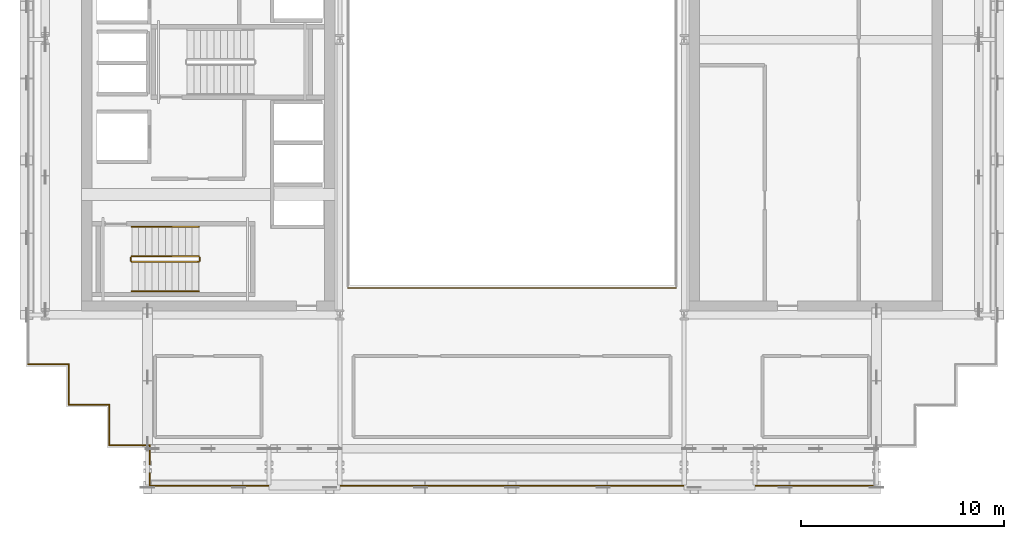
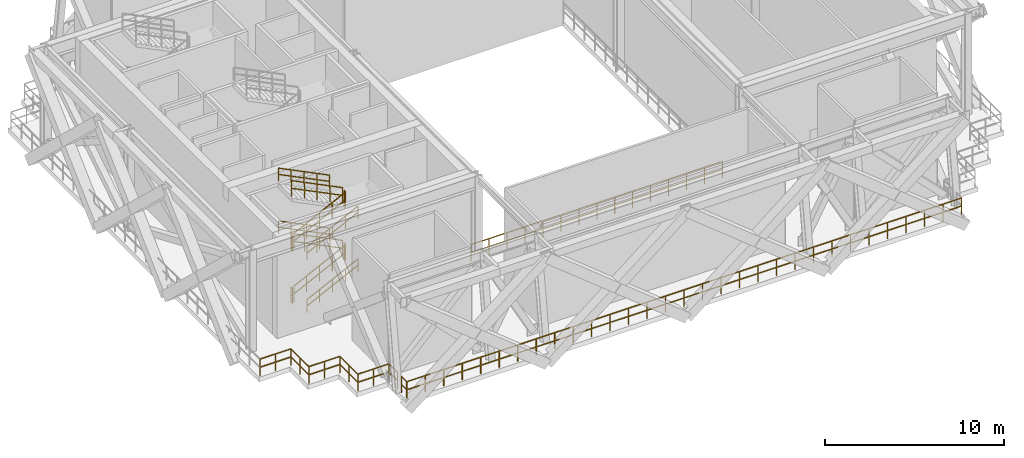
# One storey, part 9 of 13: 21 railings.
"""IFC4 building model written with IfcOpenShell, lengths in metres."""

from ifc_helpers import new_model, si_unit, direction, frame, origin, origin_2d, place, context, subcontext, project, spatial, rectangle, extrude, material, type_object, element, save


model = new_model("IFC4")

# Units and contexts
model_context = context("Model", 3, precision=1e-05, world=origin(), true_north=direction((0.0, 1.0)))
body_context = subcontext(model_context, "Body", "Model", "MODEL_VIEW")
ifc_project = project(units=[si_unit("LENGTHUNIT", "METRE"), si_unit("AREAUNIT", "SQUARE_METRE"), si_unit("VOLUMEUNIT", "CUBIC_METRE"), si_unit("PLANEANGLEUNIT", "RADIAN"), si_unit("MASSUNIT", "GRAM", prefix="KILO")], contexts=[model_context])

# Site, building, storey
site_placement = place(None, origin())
site = spatial("IfcSite", under=ifc_project, at=site_placement, CompositionType="ELEMENT")
building_placement = place(site_placement, origin())
building = spatial("IfcBuilding", under=site, at=building_placement, Name="Ocotamira Hotel", CompositionType="ELEMENT")
storey_placement = place(building_placement, frame((0.0, 0.0, 220.800048828125)))
storey = spatial("IfcBuildingStorey", under=building, at=storey_placement, Name="L56", CompositionType="ELEMENT", Elevation=220.800048828125)

# Railings
ifc_material_1 = material(Name="Painted steel stair guardrail", Category="steel")
railing_type_1 = type_object("IfcRailingType", Name="RL-EDGE-1150", PredefinedType="GUARDRAIL", material=ifc_material_1)
railing_1_placement = place(storey_placement, frame((23.89990234375, 15.8798828125, 0.0)))
element("IfcRailing", 1, at=railing_1_placement, inside=storey, type_object=railing_type_1, Name="L56 Central Atrium Edge Guardrail S", PredefinedType="GUARDRAIL", context=body_context, shape_type="SweptSolid", body=[
    extrude(rectangle(XDim=0.048095703125, YDim=0.048095703125, at=origin_2d()), frame((0.0, 0.0, 1.1259765625), z_axis=(1.0, 0.0, 0.0), x_axis=(0.0, 1.0, 0.0)), (0.0, 0.0, 1.0), 16.2001953125),
    extrude(rectangle(XDim=0.048095703125, YDim=0.048095703125, at=origin_2d()), frame((0.0, 0.0, 0.574951171875), z_axis=(1.0, 0.0, 0.0), x_axis=(0.0, 1.0, 0.0)), (0.0, 0.0, 1.0), 16.2001953125),
    extrude(rectangle(XDim=0.0419921875, YDim=0.0419921875, at=origin_2d()), origin(), (0.0, 0.0, 1.0), 1.101806640625),
    extrude(rectangle(XDim=0.0419921875, YDim=0.0419921875, at=origin_2d()), frame((1.1572265625, 0.0, 0.0)), (0.0, 0.0, 1.0), 1.101806640625),
    extrude(rectangle(XDim=0.0419921875, YDim=0.0419921875, at=origin_2d()), frame((2.314208984375, 0.0, 0.0)), (0.0, 0.0, 1.0), 1.101806640625),
    extrude(rectangle(XDim=0.0419921875, YDim=0.0419921875, at=origin_2d()), frame((3.471435546875, 0.0, 0.0)), (0.0, 0.0, 1.0), 1.101806640625),
    extrude(rectangle(XDim=0.0419921875, YDim=0.0419921875, at=origin_2d()), frame((4.628662109375, 0.0, 0.0)), (0.0, 0.0, 1.0), 1.101806640625),
    extrude(rectangle(XDim=0.0419921875, YDim=0.0419921875, at=origin_2d()), frame((5.785888671875, 0.0, 0.0)), (0.0, 0.0, 1.0), 1.101806640625),
    extrude(rectangle(XDim=0.0419921875, YDim=0.0419921875, at=origin_2d()), frame((6.94287109375, 0.0, 0.0)), (0.0, 0.0, 1.0), 1.101806640625),
    extrude(rectangle(XDim=0.0419921875, YDim=0.0419921875, at=origin_2d()), frame((8.10009765625, 0.0, 0.0)), (0.0, 0.0, 1.0), 1.101806640625),
    extrude(rectangle(XDim=0.0419921875, YDim=0.0419921875, at=origin_2d()), frame((9.25732421875, 0.0, 0.0)), (0.0, 0.0, 1.0), 1.101806640625),
    extrude(rectangle(XDim=0.0419921875, YDim=0.0419921875, at=origin_2d()), frame((10.414306640625, 0.0, 0.0)), (0.0, 0.0, 1.0), 1.101806640625),
    extrude(rectangle(XDim=0.0419921875, YDim=0.0419921875, at=origin_2d()), frame((11.571533203125, 0.0, 0.0)), (0.0, 0.0, 1.0), 1.101806640625),
    extrude(rectangle(XDim=0.0419921875, YDim=0.0419921875, at=origin_2d()), frame((12.728759765625, 0.0, 0.0)), (0.0, 0.0, 1.0), 1.101806640625),
    extrude(rectangle(XDim=0.0419921875, YDim=0.0419921875, at=origin_2d()), frame((13.885986328125, 0.0, 0.0)), (0.0, 0.0, 1.0), 1.101806640625),
    extrude(rectangle(XDim=0.0419921875, YDim=0.0419921875, at=origin_2d()), frame((15.04296875, 0.0, 0.0)), (0.0, 0.0, 1.0), 1.101806640625),
    extrude(rectangle(XDim=0.0419921875, YDim=0.0419921875, at=origin_2d()), frame((16.2001953125, 0.0, 0.0)), (0.0, 0.0, 1.0), 1.101806640625),
])
ifc_material_2 = material(Name="Brushed stainless steel handrail", Category="steel")
railing_type_2 = type_object("IfcRailingType", Name="RL-HAND-900", PredefinedType="HANDRAIL", material=ifc_material_2)
railing_2_placement = place(storey_placement, frame((13.22998046875, 15.719970703125, 0.3271484375)))
element("IfcRailing", 2, at=railing_2_placement, inside=storey, type_object=railing_type_2, Name="L56 ST-1 stair handrail 1", PredefinedType="HANDRAIL", context=body_context, shape_type="SweptSolid", body=[
    extrude(rectangle(XDim=0.048095703125, YDim=0.048095703125, at=origin_2d()), frame((0.0, 0.0, 0.8759765625), z_axis=(0.895893744519, 0.0, 0.4442683857), x_axis=(0.0, 1.0, 0.0)), (0.0, 0.0, 1.0), 3.68359375),
    extrude(rectangle(XDim=0.048095703125, YDim=0.048095703125, at=origin_2d()), frame((0.0, 0.0, 0.449951171875), z_axis=(0.895893744519, 0.0, 0.4442683857), x_axis=(0.0, 1.0, 0.0)), (0.0, 0.0, 1.0), 3.68359375),
    extrude(rectangle(XDim=0.0419921875, YDim=0.0419921875, at=origin_2d()), origin(), (0.0, 0.0, 1.0), 0.851806640625),
    extrude(rectangle(XDim=0.0419921875, YDim=0.0419921875, at=origin_2d()), frame((0.824951171875, 0.0, 0.4091796875)), (0.0, 0.0, 1.0), 0.851806640625),
    extrude(rectangle(XDim=0.0419921875, YDim=0.0419921875, at=origin_2d()), frame((1.64990234375, 0.0, 0.818359375)), (0.0, 0.0, 1.0), 0.851806640625),
    extrude(rectangle(XDim=0.0419921875, YDim=0.0419921875, at=origin_2d()), frame((2.47509765625, 0.0, 1.227294921875)), (0.0, 0.0, 1.0), 0.851806640625),
    extrude(rectangle(XDim=0.0419921875, YDim=0.0419921875, at=origin_2d()), frame((3.300048828125, 0.0, 1.636474609375)), (0.0, 0.0, 1.0), 0.851806640625),
])
railing_3_placement = place(storey_placement, frame((16.530029296875, 18.89990234375, 2.127197265625)))
element("IfcRailing", 3, at=railing_3_placement, inside=storey, type_object=railing_type_2, Name="L56 ST-1 stair handrail 2", PredefinedType="HANDRAIL", context=body_context, shape_type="SweptSolid", body=[
    extrude(rectangle(XDim=0.048095703125, YDim=0.048095703125, at=origin_2d()), frame((0.0, 0.0, 0.8759765625), z_axis=(-0.895893744519, 0.0, 0.4442683857), x_axis=(0.0, -1.0, 0.0)), (0.0, 0.0, 1.0), 3.68359375),
    extrude(rectangle(XDim=0.048095703125, YDim=0.048095703125, at=origin_2d()), frame((0.0, 0.0, 0.449951171875), z_axis=(-0.895893744519, 0.0, 0.4442683857), x_axis=(0.0, -1.0, 0.0)), (0.0, 0.0, 1.0), 3.68359375),
    extrude(rectangle(XDim=0.0419921875, YDim=0.0419921875, at=origin_2d()), origin(), (0.0, 0.0, 1.0), 0.851806640625),
    extrude(rectangle(XDim=0.0419921875, YDim=0.0419921875, at=origin_2d()), frame((-0.824951171875, 0.0, 0.4091796875)), (0.0, 0.0, 1.0), 0.851806640625),
    extrude(rectangle(XDim=0.0419921875, YDim=0.0419921875, at=origin_2d()), frame((-1.64990234375, 0.0, 0.818359375)), (0.0, 0.0, 1.0), 0.851806640625),
    extrude(rectangle(XDim=0.0419921875, YDim=0.0419921875, at=origin_2d()), frame((-2.47509765625, 0.0, 1.227294921875)), (0.0, 0.0, 1.0), 0.851806640625),
    extrude(rectangle(XDim=0.0419921875, YDim=0.0419921875, at=origin_2d()), frame((-3.300048828125, 0.0, 1.636474609375)), (0.0, 0.0, 1.0), 0.851806640625),
])
railing_4_placement = place(storey_placement, frame((13.22998046875, 15.719970703125, 3.92724609375)))
element("IfcRailing", 4, at=railing_4_placement, inside=storey, type_object=railing_type_2, Name="L56 ST-1 stair handrail 3", PredefinedType="HANDRAIL", context=body_context, shape_type="SweptSolid", body=[
    extrude(rectangle(XDim=0.048095703125, YDim=0.048095703125, at=origin_2d()), frame((0.0, 0.0, 0.8759765625), z_axis=(0.895920123917, 0.0, 0.444215186098), x_axis=(0.0, 1.0, 0.0)), (0.0, 0.0, 1.0), 3.683349609375),
    extrude(rectangle(XDim=0.048095703125, YDim=0.048095703125, at=origin_2d()), frame((0.0, 0.0, 0.449951171875), z_axis=(0.895920123917, 0.0, 0.444215186098), x_axis=(0.0, 1.0, 0.0)), (0.0, 0.0, 1.0), 3.683349609375),
    extrude(rectangle(XDim=0.0419921875, YDim=0.0419921875, at=origin_2d()), origin(), (0.0, 0.0, 1.0), 0.851806640625),
    extrude(rectangle(XDim=0.0419921875, YDim=0.0419921875, at=origin_2d()), frame((0.824951171875, 0.0, 0.4091796875)), (0.0, 0.0, 1.0), 0.851806640625),
    extrude(rectangle(XDim=0.0419921875, YDim=0.0419921875, at=origin_2d()), frame((1.64990234375, 0.0, 0.818115234375)), (0.0, 0.0, 1.0), 0.851806640625),
    extrude(rectangle(XDim=0.0419921875, YDim=0.0419921875, at=origin_2d()), frame((2.47509765625, 0.0, 1.22705078125)), (0.0, 0.0, 1.0), 0.851806640625),
    extrude(rectangle(XDim=0.0419921875, YDim=0.0419921875, at=origin_2d()), frame((3.300048828125, 0.0, 1.63623046875)), (0.0, 0.0, 1.0), 0.851806640625),
])
railing_5_placement = place(storey_placement, frame((16.530029296875, 18.89990234375, 5.727294921875)))
element("IfcRailing", 5, at=railing_5_placement, inside=storey, type_object=railing_type_2, Name="L56 ST-1 stair handrail 4", PredefinedType="HANDRAIL", context=body_context, shape_type="SweptSolid", body=[
    extrude(rectangle(XDim=0.048095703125, YDim=0.048095703125, at=origin_2d()), frame((0.0, 0.0, 0.8759765625), z_axis=(-0.895920123917, 0.0, 0.444215186098), x_axis=(0.0, -1.0, 0.0)), (0.0, 0.0, 1.0), 3.683349609375),
    extrude(rectangle(XDim=0.048095703125, YDim=0.048095703125, at=origin_2d()), frame((0.0, 0.0, 0.449951171875), z_axis=(-0.895920123917, 0.0, 0.444215186098), x_axis=(0.0, -1.0, 0.0)), (0.0, 0.0, 1.0), 3.683349609375),
    extrude(rectangle(XDim=0.0419921875, YDim=0.0419921875, at=origin_2d()), origin(), (0.0, 0.0, 1.0), 0.851806640625),
    extrude(rectangle(XDim=0.0419921875, YDim=0.0419921875, at=origin_2d()), frame((-0.824951171875, 0.0, 0.4091796875)), (0.0, 0.0, 1.0), 0.851806640625),
    extrude(rectangle(XDim=0.0419921875, YDim=0.0419921875, at=origin_2d()), frame((-1.64990234375, 0.0, 0.818115234375)), (0.0, 0.0, 1.0), 0.851806640625),
    extrude(rectangle(XDim=0.0419921875, YDim=0.0419921875, at=origin_2d()), frame((-2.47509765625, 0.0, 1.22705078125)), (0.0, 0.0, 1.0), 0.851806640625),
    extrude(rectangle(XDim=0.0419921875, YDim=0.0419921875, at=origin_2d()), frame((-3.300048828125, 0.0, 1.63623046875)), (0.0, 0.0, 1.0), 0.851806640625),
])
ifc_material_3 = material(Name="Pale-metal stainless steel guardrail", Category="steel")
railing_type_3 = type_object("IfcRailingType", Name="RL-PERIM-1150", PredefinedType="GUARDRAIL", material=ifc_material_3)
railing_6_placement = place(storey_placement, frame((14.1201171875, 6.1201171875, 0.0)))
element("IfcRailing", 6, at=railing_6_placement, inside=storey, type_object=railing_type_3, Name="L56 Perimeter Guardrail WSLOT1-01", PredefinedType="GUARDRAIL", context=body_context, shape_type="SweptSolid", body=[
    extrude(rectangle(XDim=0.048095703125, YDim=0.048095703125, at=origin_2d()), frame((0.0, 0.0, 1.1259765625), z_axis=(0.0, 1.0, 0.0), x_axis=(-1.0, 0.0, 0.0)), (0.0, 0.0, 1.0), 0.6064453125),
    extrude(rectangle(XDim=0.048095703125, YDim=0.048095703125, at=origin_2d()), frame((0.0, 0.0, 0.574951171875), z_axis=(0.0, 1.0, 0.0), x_axis=(-1.0, 0.0, 0.0)), (0.0, 0.0, 1.0), 0.6064453125),
    extrude(rectangle(XDim=0.0419921875, YDim=0.0419921875, at=origin_2d()), origin(), (0.0, 0.0, 1.0), 1.101806640625),
    extrude(rectangle(XDim=0.0419921875, YDim=0.0419921875, at=origin_2d()), frame((0.0, 0.6064453125, 0.0)), (0.0, 0.0, 1.0), 1.101806640625),
])
railing_7_placement = place(storey_placement, frame((14.1201171875, 7.173583984375, 0.0)))
element("IfcRailing", 7, at=railing_7_placement, inside=storey, type_object=railing_type_3, Name="L56 Perimeter Guardrail WSLOT1-02", PredefinedType="GUARDRAIL", context=body_context, shape_type="SweptSolid", body=[
    extrude(rectangle(XDim=0.048095703125, YDim=0.048095703125, at=origin_2d()), frame((0.0, 0.0, 1.1259765625), z_axis=(0.0, 1.0, 0.0), x_axis=(-1.0, 0.0, 0.0)), (0.0, 0.0, 1.0), 0.946533203125),
    extrude(rectangle(XDim=0.048095703125, YDim=0.048095703125, at=origin_2d()), frame((0.0, 0.0, 0.574951171875), z_axis=(0.0, 1.0, 0.0), x_axis=(-1.0, 0.0, 0.0)), (0.0, 0.0, 1.0), 0.946533203125),
    extrude(rectangle(XDim=0.0419921875, YDim=0.0419921875, at=origin_2d()), origin(), (0.0, 0.0, 1.0), 1.101806640625),
    extrude(rectangle(XDim=0.0419921875, YDim=0.0419921875, at=origin_2d()), frame((0.0, 0.946533203125, 0.0)), (0.0, 0.0, 1.0), 1.101806640625),
])
railing_8_placement = place(storey_placement, frame((14.1201171875, 8.1201171875, 0.0)))
element("IfcRailing", 8, at=railing_8_placement, inside=storey, type_object=railing_type_3, Name="L56 Perimeter Guardrail WSLOT1-03", PredefinedType="GUARDRAIL", context=body_context, shape_type="SweptSolid", body=[
    extrude(rectangle(XDim=0.048095703125, YDim=0.048095703125, at=origin_2d()), frame((0.0, 0.0, 1.1259765625), z_axis=(-1.0, 0.0, 0.0), x_axis=(0.0, -1.0, 0.0)), (0.0, 0.0, 1.0), 2.0),
    extrude(rectangle(XDim=0.048095703125, YDim=0.048095703125, at=origin_2d()), frame((0.0, 0.0, 0.574951171875), z_axis=(-1.0, 0.0, 0.0), x_axis=(0.0, -1.0, 0.0)), (0.0, 0.0, 1.0), 2.0),
    extrude(rectangle(XDim=0.0419921875, YDim=0.0419921875, at=origin_2d()), origin(), (0.0, 0.0, 1.0), 1.101806640625),
    extrude(rectangle(XDim=0.0419921875, YDim=0.0419921875, at=origin_2d()), frame((-1.0, 0.0, 0.0)), (0.0, 0.0, 1.0), 1.101806640625),
    extrude(rectangle(XDim=0.0419921875, YDim=0.0419921875, at=origin_2d()), frame((-2.0, 0.0, 0.0)), (0.0, 0.0, 1.0), 1.101806640625),
])
railing_9_placement = place(storey_placement, frame((12.1201171875, 8.1201171875, 0.0)))
element("IfcRailing", 9, at=railing_9_placement, inside=storey, type_object=railing_type_3, Name="L56 Perimeter Guardrail WSLOT1-04", PredefinedType="GUARDRAIL", context=body_context, shape_type="SweptSolid", body=[
    extrude(rectangle(XDim=0.048095703125, YDim=0.048095703125, at=origin_2d()), frame((0.0, 0.0, 1.1259765625), z_axis=(0.0, 1.0, 0.0), x_axis=(-1.0, 0.0, 0.0)), (0.0, 0.0, 1.0), 2.0),
    extrude(rectangle(XDim=0.048095703125, YDim=0.048095703125, at=origin_2d()), frame((0.0, 0.0, 0.574951171875), z_axis=(0.0, 1.0, 0.0), x_axis=(-1.0, 0.0, 0.0)), (0.0, 0.0, 1.0), 2.0),
    extrude(rectangle(XDim=0.0419921875, YDim=0.0419921875, at=origin_2d()), origin(), (0.0, 0.0, 1.0), 1.101806640625),
    extrude(rectangle(XDim=0.0419921875, YDim=0.0419921875, at=origin_2d()), frame((0.0, 1.0, 0.0)), (0.0, 0.0, 1.0), 1.101806640625),
    extrude(rectangle(XDim=0.0419921875, YDim=0.0419921875, at=origin_2d()), frame((0.0, 2.0, 0.0)), (0.0, 0.0, 1.0), 1.101806640625),
])
railing_10_placement = place(storey_placement, frame((12.1201171875, 10.1201171875, 0.0)))
element("IfcRailing", 10, at=railing_10_placement, inside=storey, type_object=railing_type_3, Name="L56 Perimeter Guardrail WSLOT1-05", PredefinedType="GUARDRAIL", context=body_context, shape_type="SweptSolid", body=[
    extrude(rectangle(XDim=0.048095703125, YDim=0.048095703125, at=origin_2d()), frame((0.0, 0.0, 1.1259765625), z_axis=(-1.0, 0.0, 0.0), x_axis=(0.0, -1.0, 0.0)), (0.0, 0.0, 1.0), 2.0),
    extrude(rectangle(XDim=0.048095703125, YDim=0.048095703125, at=origin_2d()), frame((0.0, 0.0, 0.574951171875), z_axis=(-1.0, 0.0, 0.0), x_axis=(0.0, -1.0, 0.0)), (0.0, 0.0, 1.0), 2.0),
    extrude(rectangle(XDim=0.0419921875, YDim=0.0419921875, at=origin_2d()), origin(), (0.0, 0.0, 1.0), 1.101806640625),
    extrude(rectangle(XDim=0.0419921875, YDim=0.0419921875, at=origin_2d()), frame((-1.0, 0.0, 0.0)), (0.0, 0.0, 1.0), 1.101806640625),
    extrude(rectangle(XDim=0.0419921875, YDim=0.0419921875, at=origin_2d()), frame((-2.0, 0.0, 0.0)), (0.0, 0.0, 1.0), 1.101806640625),
])
railing_11_placement = place(storey_placement, frame((10.1201171875, 10.1201171875, 0.0)))
element("IfcRailing", 11, at=railing_11_placement, inside=storey, type_object=railing_type_3, Name="L56 Perimeter Guardrail WSLOT1-06", PredefinedType="GUARDRAIL", context=body_context, shape_type="SweptSolid", body=[
    extrude(rectangle(XDim=0.048095703125, YDim=0.048095703125, at=origin_2d()), frame((0.0, 0.0, 1.1259765625), z_axis=(0.0, 1.0, 0.0), x_axis=(-1.0, 0.0, 0.0)), (0.0, 0.0, 1.0), 2.0),
    extrude(rectangle(XDim=0.048095703125, YDim=0.048095703125, at=origin_2d()), frame((0.0, 0.0, 0.574951171875), z_axis=(0.0, 1.0, 0.0), x_axis=(-1.0, 0.0, 0.0)), (0.0, 0.0, 1.0), 2.0),
    extrude(rectangle(XDim=0.0419921875, YDim=0.0419921875, at=origin_2d()), origin(), (0.0, 0.0, 1.0), 1.101806640625),
    extrude(rectangle(XDim=0.0419921875, YDim=0.0419921875, at=origin_2d()), frame((0.0, 1.0, 0.0)), (0.0, 0.0, 1.0), 1.101806640625),
    extrude(rectangle(XDim=0.0419921875, YDim=0.0419921875, at=origin_2d()), frame((0.0, 2.0, 0.0)), (0.0, 0.0, 1.0), 1.101806640625),
])
railing_12_placement = place(storey_placement, frame((10.1201171875, 12.1201171875, 0.0)))
element("IfcRailing", 12, at=railing_12_placement, inside=storey, type_object=railing_type_3, Name="L56 Perimeter Guardrail WSLOT1-07", PredefinedType="GUARDRAIL", context=body_context, shape_type="SweptSolid", body=[
    extrude(rectangle(XDim=0.048095703125, YDim=0.048095703125, at=origin_2d()), frame((0.0, 0.0, 1.1259765625), z_axis=(-1.0, 0.0, 0.0), x_axis=(0.0, -1.0, 0.0)), (0.0, 0.0, 1.0), 2.0),
    extrude(rectangle(XDim=0.048095703125, YDim=0.048095703125, at=origin_2d()), frame((0.0, 0.0, 0.574951171875), z_axis=(-1.0, 0.0, 0.0), x_axis=(0.0, -1.0, 0.0)), (0.0, 0.0, 1.0), 2.0),
    extrude(rectangle(XDim=0.0419921875, YDim=0.0419921875, at=origin_2d()), origin(), (0.0, 0.0, 1.0), 1.101806640625),
    extrude(rectangle(XDim=0.0419921875, YDim=0.0419921875, at=origin_2d()), frame((-1.0, 0.0, 0.0)), (0.0, 0.0, 1.0), 1.101806640625),
    extrude(rectangle(XDim=0.0419921875, YDim=0.0419921875, at=origin_2d()), frame((-2.0, 0.0, 0.0)), (0.0, 0.0, 1.0), 1.101806640625),
])
railing_13_placement = place(storey_placement, frame((49.8798828125, 6.1201171875, 0.0)))
element("IfcRailing", 13, at=railing_13_placement, inside=storey, type_object=railing_type_3, Name="L56 Perimeter Guardrail WSLOT1-32", PredefinedType="GUARDRAIL", context=body_context, shape_type="SweptSolid", body=[
    extrude(rectangle(XDim=0.048095703125, YDim=0.048095703125, at=origin_2d()), frame((0.0, 0.0, 1.1259765625), z_axis=(-1.0, 0.0, 0.0), x_axis=(0.0, -1.0, 0.0)), (0.0, 0.0, 1.0), 35.759765625),
    extrude(rectangle(XDim=0.048095703125, YDim=0.048095703125, at=origin_2d()), frame((0.0, 0.0, 0.574951171875), z_axis=(-1.0, 0.0, 0.0), x_axis=(0.0, -1.0, 0.0)), (0.0, 0.0, 1.0), 35.759765625),
    extrude(rectangle(XDim=0.0419921875, YDim=0.0419921875, at=origin_2d()), origin(), (0.0, 0.0, 1.0), 1.101806640625),
    extrude(rectangle(XDim=0.0419921875, YDim=0.0419921875, at=origin_2d()), frame((-1.19189453125, 0.0, 0.0)), (0.0, 0.0, 1.0), 1.101806640625),
    extrude(rectangle(XDim=0.0419921875, YDim=0.0419921875, at=origin_2d()), frame((-2.384033203125, 0.0, 0.0)), (0.0, 0.0, 1.0), 1.101806640625),
    extrude(rectangle(XDim=0.0419921875, YDim=0.0419921875, at=origin_2d()), frame((-3.575927734375, 0.0, 0.0)), (0.0, 0.0, 1.0), 1.101806640625),
    extrude(rectangle(XDim=0.0419921875, YDim=0.0419921875, at=origin_2d()), frame((-4.76806640625, 0.0, 0.0)), (0.0, 0.0, 1.0), 1.101806640625),
    extrude(rectangle(XDim=0.0419921875, YDim=0.0419921875, at=origin_2d()), frame((-5.9599609375, 0.0, 0.0)), (0.0, 0.0, 1.0), 1.101806640625),
    extrude(rectangle(XDim=0.0419921875, YDim=0.0419921875, at=origin_2d()), frame((-7.15185546875, 0.0, 0.0)), (0.0, 0.0, 1.0), 1.101806640625),
    extrude(rectangle(XDim=0.0419921875, YDim=0.0419921875, at=origin_2d()), frame((-8.343994140625, 0.0, 0.0)), (0.0, 0.0, 1.0), 1.101806640625),
    extrude(rectangle(XDim=0.0419921875, YDim=0.0419921875, at=origin_2d()), frame((-9.535888671875, 0.0, 0.0)), (0.0, 0.0, 1.0), 1.101806640625),
    extrude(rectangle(XDim=0.0419921875, YDim=0.0419921875, at=origin_2d()), frame((-10.72802734375, 0.0, 0.0)), (0.0, 0.0, 1.0), 1.101806640625),
    extrude(rectangle(XDim=0.0419921875, YDim=0.0419921875, at=origin_2d()), frame((-11.919921875, 0.0, 0.0)), (0.0, 0.0, 1.0), 1.101806640625),
    extrude(rectangle(XDim=0.0419921875, YDim=0.0419921875, at=origin_2d()), frame((-13.11181640625, 0.0, 0.0)), (0.0, 0.0, 1.0), 1.101806640625),
    extrude(rectangle(XDim=0.0419921875, YDim=0.0419921875, at=origin_2d()), frame((-14.303955078125, 0.0, 0.0)), (0.0, 0.0, 1.0), 1.101806640625),
    extrude(rectangle(XDim=0.0419921875, YDim=0.0419921875, at=origin_2d()), frame((-15.495849609375, 0.0, 0.0)), (0.0, 0.0, 1.0), 1.101806640625),
    extrude(rectangle(XDim=0.0419921875, YDim=0.0419921875, at=origin_2d()), frame((-16.68798828125, 0.0, 0.0)), (0.0, 0.0, 1.0), 1.101806640625),
    extrude(rectangle(XDim=0.0419921875, YDim=0.0419921875, at=origin_2d()), frame((-17.8798828125, 0.0, 0.0)), (0.0, 0.0, 1.0), 1.101806640625),
    extrude(rectangle(XDim=0.0419921875, YDim=0.0419921875, at=origin_2d()), frame((-19.07177734375, 0.0, 0.0)), (0.0, 0.0, 1.0), 1.101806640625),
    extrude(rectangle(XDim=0.0419921875, YDim=0.0419921875, at=origin_2d()), frame((-20.263916015625, 0.0, 0.0)), (0.0, 0.0, 1.0), 1.101806640625),
    extrude(rectangle(XDim=0.0419921875, YDim=0.0419921875, at=origin_2d()), frame((-21.455810546875, 0.0, 0.0)), (0.0, 0.0, 1.0), 1.101806640625),
    extrude(rectangle(XDim=0.0419921875, YDim=0.0419921875, at=origin_2d()), frame((-22.64794921875, 0.0, 0.0)), (0.0, 0.0, 1.0), 1.101806640625),
    extrude(rectangle(XDim=0.0419921875, YDim=0.0419921875, at=origin_2d()), frame((-23.83984375, 0.0, 0.0)), (0.0, 0.0, 1.0), 1.101806640625),
    extrude(rectangle(XDim=0.0419921875, YDim=0.0419921875, at=origin_2d()), frame((-25.03173828125, 0.0, 0.0)), (0.0, 0.0, 1.0), 1.101806640625),
    extrude(rectangle(XDim=0.0419921875, YDim=0.0419921875, at=origin_2d()), frame((-26.223876953125, 0.0, 0.0)), (0.0, 0.0, 1.0), 1.101806640625),
    extrude(rectangle(XDim=0.0419921875, YDim=0.0419921875, at=origin_2d()), frame((-27.415771484375, 0.0, 0.0)), (0.0, 0.0, 1.0), 1.101806640625),
    extrude(rectangle(XDim=0.0419921875, YDim=0.0419921875, at=origin_2d()), frame((-28.60791015625, 0.0, 0.0)), (0.0, 0.0, 1.0), 1.101806640625),
    extrude(rectangle(XDim=0.0419921875, YDim=0.0419921875, at=origin_2d()), frame((-29.7998046875, 0.0, 0.0)), (0.0, 0.0, 1.0), 1.101806640625),
    extrude(rectangle(XDim=0.0419921875, YDim=0.0419921875, at=origin_2d()), frame((-30.99169921875, 0.0, 0.0)), (0.0, 0.0, 1.0), 1.101806640625),
    extrude(rectangle(XDim=0.0419921875, YDim=0.0419921875, at=origin_2d()), frame((-32.183837890625, 0.0, 0.0)), (0.0, 0.0, 1.0), 1.101806640625),
    extrude(rectangle(XDim=0.0419921875, YDim=0.0419921875, at=origin_2d()), frame((-33.375732421875, 0.0, 0.0)), (0.0, 0.0, 1.0), 1.101806640625),
    extrude(rectangle(XDim=0.0419921875, YDim=0.0419921875, at=origin_2d()), frame((-34.56787109375, 0.0, 0.0)), (0.0, 0.0, 1.0), 1.101806640625),
    extrude(rectangle(XDim=0.0419921875, YDim=0.0419921875, at=origin_2d()), frame((-35.759765625, 0.0, 0.0)), (0.0, 0.0, 1.0), 1.101806640625),
])
railing_type_4 = type_object("IfcRailingType", Name="RL-STAIR-1100", PredefinedType="GUARDRAIL", material=ifc_material_1)
railing_14_placement = place(storey_placement, frame((13.22998046875, 17.179931640625, 0.16357421875)))
element("IfcRailing", 14, at=railing_14_placement, inside=storey, type_object=railing_type_4, Name="L56 ST-1 stair guard 1", PredefinedType="GUARDRAIL", context=body_context, shape_type="SweptSolid", body=[
    extrude(rectangle(XDim=0.048095703125, YDim=0.048095703125, at=origin_2d()), frame((0.0, 0.0, 1.076171875), z_axis=(0.895893744519, 0.0, 0.4442683857), x_axis=(0.0, 1.0, 0.0)), (0.0, 0.0, 1.0), 3.68359375),
    extrude(rectangle(XDim=0.048095703125, YDim=0.048095703125, at=origin_2d()), frame((0.0, 0.0, 0.550048828125), z_axis=(0.895893744519, 0.0, 0.4442683857), x_axis=(0.0, 1.0, 0.0)), (0.0, 0.0, 1.0), 3.68359375),
    extrude(rectangle(XDim=0.0419921875, YDim=0.0419921875, at=origin_2d()), origin(), (0.0, 0.0, 1.0), 1.052001953125),
    extrude(rectangle(XDim=0.0419921875, YDim=0.0419921875, at=origin_2d()), frame((0.824951171875, 0.0, 0.4091796875)), (0.0, 0.0, 1.0), 1.052001953125),
    extrude(rectangle(XDim=0.0419921875, YDim=0.0419921875, at=origin_2d()), frame((1.64990234375, 0.0, 0.818359375)), (0.0, 0.0, 1.0), 1.052001953125),
    extrude(rectangle(XDim=0.0419921875, YDim=0.0419921875, at=origin_2d()), frame((2.47509765625, 0.0, 1.227294921875)), (0.0, 0.0, 1.0), 1.052001953125),
    extrude(rectangle(XDim=0.0419921875, YDim=0.0419921875, at=origin_2d()), frame((3.300048828125, 0.0, 1.636474609375)), (0.0, 0.0, 1.0), 1.052001953125),
])
railing_15_placement = place(storey_placement, frame((16.580078125, 17.22998046875, 1.800048828125)))
element("IfcRailing", 15, at=railing_15_placement, inside=storey, type_object=railing_type_4, Name="L56 ST-1 stair guard 2", PredefinedType="GUARDRAIL", context=body_context, shape_type="SweptSolid", body=[
    extrude(rectangle(XDim=0.048095703125, YDim=0.048095703125, at=origin_2d()), frame((0.0, 0.0, 1.076171875), z_axis=(0.0, 1.0, 0.0), x_axis=(-1.0, 0.0, 0.0)), (0.0, 0.0, 1.0), 0.159912109375),
    extrude(rectangle(XDim=0.048095703125, YDim=0.048095703125, at=origin_2d()), frame((0.0, 0.0, 0.550048828125), z_axis=(0.0, 1.0, 0.0), x_axis=(-1.0, 0.0, 0.0)), (0.0, 0.0, 1.0), 0.159912109375),
    extrude(rectangle(XDim=0.0419921875, YDim=0.0419921875, at=origin_2d()), origin(), (0.0, 0.0, 1.0), 1.052001953125),
    extrude(rectangle(XDim=0.0419921875, YDim=0.0419921875, at=origin_2d()), frame((0.0, 0.159912109375, 0.0)), (0.0, 0.0, 1.0), 1.052001953125),
])
railing_16_placement = place(storey_placement, frame((16.530029296875, 17.43994140625, 1.963623046875)))
element("IfcRailing", 16, at=railing_16_placement, inside=storey, type_object=railing_type_4, Name="L56 ST-1 stair guard 3", PredefinedType="GUARDRAIL", context=body_context, shape_type="SweptSolid", body=[
    extrude(rectangle(XDim=0.048095703125, YDim=0.048095703125, at=origin_2d()), frame((0.0, 0.0, 1.076171875), z_axis=(-0.895920123917, 0.0, 0.444215186098), x_axis=(0.0, -1.0, 0.0)), (0.0, 0.0, 1.0), 3.683349609375),
    extrude(rectangle(XDim=0.048095703125, YDim=0.048095703125, at=origin_2d()), frame((0.0, 0.0, 0.550048828125), z_axis=(-0.895920123917, 0.0, 0.444215186098), x_axis=(0.0, -1.0, 0.0)), (0.0, 0.0, 1.0), 3.683349609375),
    extrude(rectangle(XDim=0.0419921875, YDim=0.0419921875, at=origin_2d()), origin(), (0.0, 0.0, 1.0), 1.052001953125),
    extrude(rectangle(XDim=0.0419921875, YDim=0.0419921875, at=origin_2d()), frame((-0.824951171875, 0.0, 0.4091796875)), (0.0, 0.0, 1.0), 1.052001953125),
    extrude(rectangle(XDim=0.0419921875, YDim=0.0419921875, at=origin_2d()), frame((-1.64990234375, 0.0, 0.818115234375)), (0.0, 0.0, 1.0), 1.052001953125),
    extrude(rectangle(XDim=0.0419921875, YDim=0.0419921875, at=origin_2d()), frame((-2.47509765625, 0.0, 1.22705078125)), (0.0, 0.0, 1.0), 1.052001953125),
    extrude(rectangle(XDim=0.0419921875, YDim=0.0419921875, at=origin_2d()), frame((-3.300048828125, 0.0, 1.63623046875)), (0.0, 0.0, 1.0), 1.052001953125),
])
railing_17_placement = place(storey_placement, frame((13.179931640625, 17.22998046875, 3.599853515625)))
element("IfcRailing", 17, at=railing_17_placement, inside=storey, type_object=railing_type_4, Name="L56 ST-1 stair guard 4", PredefinedType="GUARDRAIL", context=body_context, shape_type="SweptSolid", body=[
    extrude(rectangle(XDim=0.048095703125, YDim=0.048095703125, at=origin_2d()), frame((0.0, 0.0, 1.076171875), z_axis=(0.0, 1.0, 0.0), x_axis=(-1.0, 0.0, 0.0)), (0.0, 0.0, 1.0), 0.159912109375),
    extrude(rectangle(XDim=0.048095703125, YDim=0.048095703125, at=origin_2d()), frame((0.0, 0.0, 0.550048828125), z_axis=(0.0, 1.0, 0.0), x_axis=(-1.0, 0.0, 0.0)), (0.0, 0.0, 1.0), 0.159912109375),
    extrude(rectangle(XDim=0.0419921875, YDim=0.0419921875, at=origin_2d()), origin(), (0.0, 0.0, 1.0), 1.052001953125),
    extrude(rectangle(XDim=0.0419921875, YDim=0.0419921875, at=origin_2d()), frame((0.0, 0.159912109375, 0.0)), (0.0, 0.0, 1.0), 1.052001953125),
])
railing_18_placement = place(storey_placement, frame((13.22998046875, 17.179931640625, 3.763671875)))
element("IfcRailing", 18, at=railing_18_placement, inside=storey, type_object=railing_type_4, Name="L56 ST-1 stair guard 5", PredefinedType="GUARDRAIL", context=body_context, shape_type="SweptSolid", body=[
    extrude(rectangle(XDim=0.048095703125, YDim=0.048095703125, at=origin_2d()), frame((0.0, 0.0, 1.076171875), z_axis=(0.895920123917, 0.0, 0.444215186098), x_axis=(0.0, 1.0, 0.0)), (0.0, 0.0, 1.0), 3.683349609375),
    extrude(rectangle(XDim=0.048095703125, YDim=0.048095703125, at=origin_2d()), frame((0.0, 0.0, 0.550048828125), z_axis=(0.895920123917, 0.0, 0.444215186098), x_axis=(0.0, 1.0, 0.0)), (0.0, 0.0, 1.0), 3.683349609375),
    extrude(rectangle(XDim=0.0419921875, YDim=0.0419921875, at=origin_2d()), origin(), (0.0, 0.0, 1.0), 1.052001953125),
    extrude(rectangle(XDim=0.0419921875, YDim=0.0419921875, at=origin_2d()), frame((0.824951171875, 0.0, 0.4091796875)), (0.0, 0.0, 1.0), 1.052001953125),
    extrude(rectangle(XDim=0.0419921875, YDim=0.0419921875, at=origin_2d()), frame((1.64990234375, 0.0, 0.818115234375)), (0.0, 0.0, 1.0), 1.052001953125),
    extrude(rectangle(XDim=0.0419921875, YDim=0.0419921875, at=origin_2d()), frame((2.47509765625, 0.0, 1.22705078125)), (0.0, 0.0, 1.0), 1.052001953125),
    extrude(rectangle(XDim=0.0419921875, YDim=0.0419921875, at=origin_2d()), frame((3.300048828125, 0.0, 1.63623046875)), (0.0, 0.0, 1.0), 1.052001953125),
])
railing_19_placement = place(storey_placement, frame((16.580078125, 17.22998046875, 5.39990234375)))
element("IfcRailing", 19, at=railing_19_placement, inside=storey, type_object=railing_type_4, Name="L56 ST-1 stair guard 6", PredefinedType="GUARDRAIL", context=body_context, shape_type="SweptSolid", body=[
    extrude(rectangle(XDim=0.048095703125, YDim=0.048095703125, at=origin_2d()), frame((0.0, 0.0, 1.076171875), z_axis=(0.0, 1.0, 0.0), x_axis=(-1.0, 0.0, 0.0)), (0.0, 0.0, 1.0), 0.159912109375),
    extrude(rectangle(XDim=0.048095703125, YDim=0.048095703125, at=origin_2d()), frame((0.0, 0.0, 0.550048828125), z_axis=(0.0, 1.0, 0.0), x_axis=(-1.0, 0.0, 0.0)), (0.0, 0.0, 1.0), 0.159912109375),
    extrude(rectangle(XDim=0.0419921875, YDim=0.0419921875, at=origin_2d()), origin(), (0.0, 0.0, 1.0), 1.052001953125),
    extrude(rectangle(XDim=0.0419921875, YDim=0.0419921875, at=origin_2d()), frame((0.0, 0.159912109375, 0.0)), (0.0, 0.0, 1.0), 1.052001953125),
])
railing_20_placement = place(storey_placement, frame((16.530029296875, 17.43994140625, 5.5634765625)))
element("IfcRailing", 20, at=railing_20_placement, inside=storey, type_object=railing_type_4, Name="L56 ST-1 stair guard 7", PredefinedType="GUARDRAIL", context=body_context, shape_type="SweptSolid", body=[
    extrude(rectangle(XDim=0.048095703125, YDim=0.048095703125, at=origin_2d()), frame((0.0, 0.0, 1.076171875), z_axis=(-0.895893744519, 0.0, 0.4442683857), x_axis=(0.0, -1.0, 0.0)), (0.0, 0.0, 1.0), 3.68359375),
    extrude(rectangle(XDim=0.048095703125, YDim=0.048095703125, at=origin_2d()), frame((0.0, 0.0, 0.550048828125), z_axis=(-0.895893744519, 0.0, 0.4442683857), x_axis=(0.0, -1.0, 0.0)), (0.0, 0.0, 1.0), 3.68359375),
    extrude(rectangle(XDim=0.0419921875, YDim=0.0419921875, at=origin_2d()), origin(), (0.0, 0.0, 1.0), 1.052001953125),
    extrude(rectangle(XDim=0.0419921875, YDim=0.0419921875, at=origin_2d()), frame((-0.824951171875, 0.0, 0.4091796875)), (0.0, 0.0, 1.0), 1.052001953125),
    extrude(rectangle(XDim=0.0419921875, YDim=0.0419921875, at=origin_2d()), frame((-1.64990234375, 0.0, 0.818359375)), (0.0, 0.0, 1.0), 1.052001953125),
    extrude(rectangle(XDim=0.0419921875, YDim=0.0419921875, at=origin_2d()), frame((-2.47509765625, 0.0, 1.227294921875)), (0.0, 0.0, 1.0), 1.052001953125),
    extrude(rectangle(XDim=0.0419921875, YDim=0.0419921875, at=origin_2d()), frame((-3.300048828125, 0.0, 1.636474609375)), (0.0, 0.0, 1.0), 1.052001953125),
])
railing_21_placement = place(storey_placement, frame((13.179931640625, 17.22998046875, 0.0)))
element("IfcRailing", 21, at=railing_21_placement, inside=storey, type_object=railing_type_4, Name="L56 ST-1 stair guard 8", PredefinedType="GUARDRAIL", context=body_context, shape_type="SweptSolid", body=[
    extrude(rectangle(XDim=0.048095703125, YDim=0.048095703125, at=origin_2d()), frame((0.0, 0.0, 1.076171875), z_axis=(0.0, 1.0, 0.0), x_axis=(-1.0, 0.0, 0.0)), (0.0, 0.0, 1.0), 0.159912109375),
    extrude(rectangle(XDim=0.048095703125, YDim=0.048095703125, at=origin_2d()), frame((0.0, 0.0, 0.550048828125), z_axis=(0.0, 1.0, 0.0), x_axis=(-1.0, 0.0, 0.0)), (0.0, 0.0, 1.0), 0.159912109375),
    extrude(rectangle(XDim=0.0419921875, YDim=0.0419921875, at=origin_2d()), origin(), (0.0, 0.0, 1.0), 1.052001953125),
    extrude(rectangle(XDim=0.0419921875, YDim=0.0419921875, at=origin_2d()), frame((0.0, 0.159912109375, 0.0)), (0.0, 0.0, 1.0), 1.052001953125),
])

save(model, "model.ifc")
